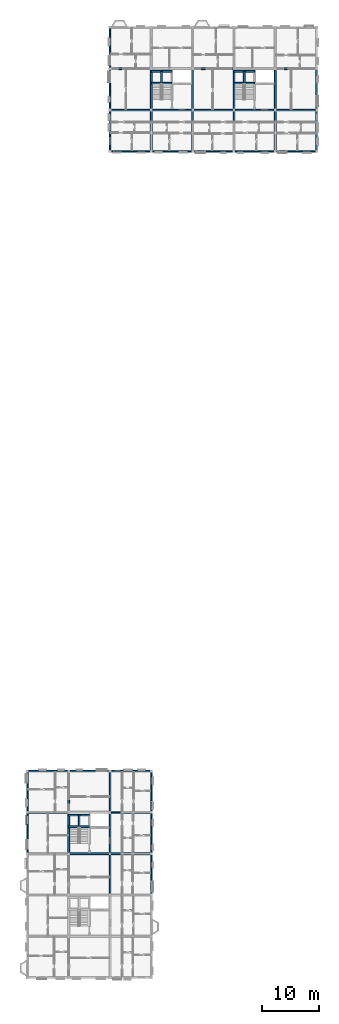
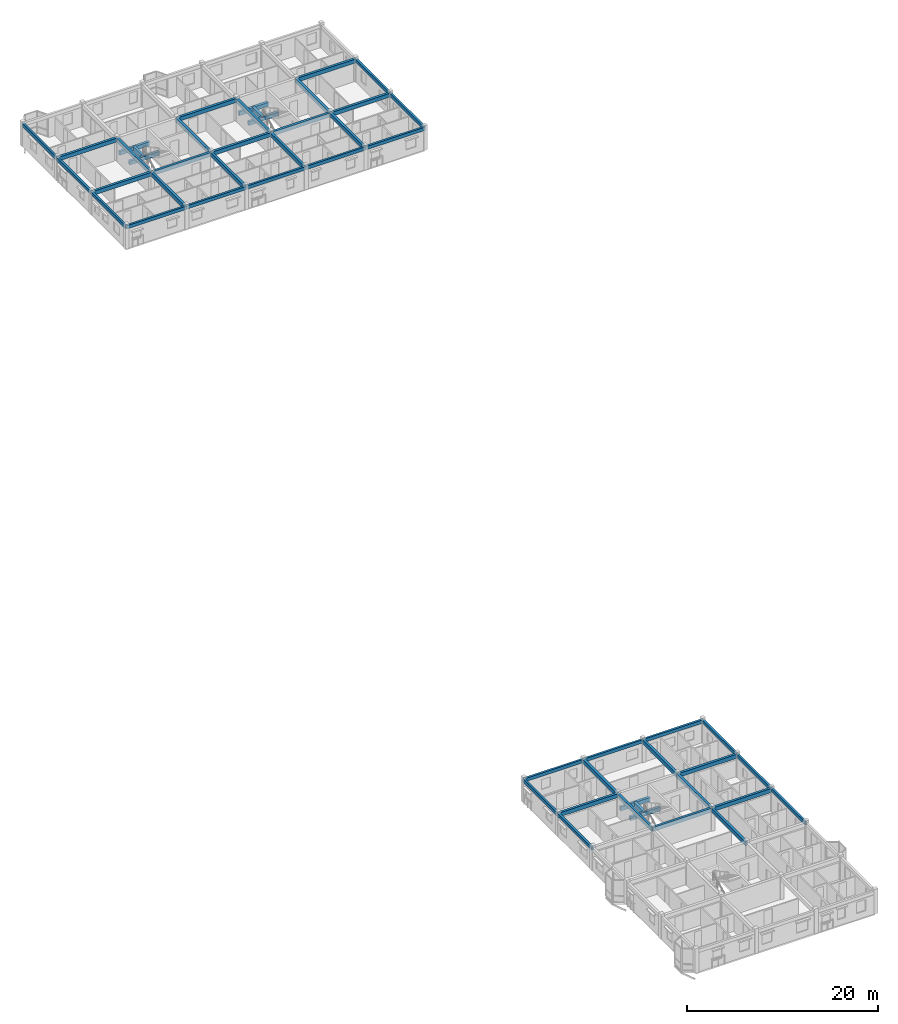
# One storey, part 9 of 28: 52 beams.
"""IFC4 building model written with IfcOpenShell, lengths in metres."""

from ifc_helpers import new_model, si_unit, direction, frame, origin, origin_2d, place, context, subcontext, project, spatial, rectangle, extrude, material, material_profile, profile_set, type_object, element, save


model = new_model("IFC4")

# Units and contexts
model_context = context("Model", 3, precision=1e-05, world=origin(), true_north=direction((0.0, 1.0)))
body_context = subcontext(model_context, "Body", "Model", "MODEL_VIEW")
ifc_project = project(units=[si_unit("LENGTHUNIT", "METRE"), si_unit("AREAUNIT", "SQUARE_METRE"), si_unit("VOLUMEUNIT", "CUBIC_METRE"), si_unit("PLANEANGLEUNIT", "RADIAN"), si_unit("MASSUNIT", "GRAM", prefix="KILO"), si_unit("THERMODYNAMICTEMPERATUREUNIT", "KELVIN"), si_unit("POWERUNIT", "WATT")], contexts=[model_context])

# Site, building, storey
site_placement = place(None, origin())
site = spatial("IfcSite", under=ifc_project, at=site_placement, CompositionType="ELEMENT")
building_placement = place(site_placement, origin())
building = spatial("IfcBuilding", under=site, at=building_placement, Name="Tavuni Mirador Residences", CompositionType="ELEMENT")
storey_placement = place(building_placement, frame((0.0, 0.0, 39.14990234375)))
storey = spatial("IfcBuildingStorey", under=building, at=storey_placement, Name="L12", CompositionType="ELEMENT", Elevation=39.14990234375)

# Beams
ifc_material = material(Name="Precast concrete C40/50", Category="concrete")
ifc_material_profile_1 = material_profile(ifc_material, rectangle(XDim=0.300048828125, YDim=0.5, at=origin_2d()), Name="PC 300x500", Category="concrete")
ifc_profile_set_1 = profile_set([ifc_material_profile_1], Name="Precast concrete C40/50")
beam_type_1 = type_object("IfcBeamType", Name="BT-B500", PredefinedType="BEAM", material=ifc_profile_set_1)
for number, where, z_axis, x_axis, name in (
    (1, (10.800048828125, 28.800048828125, 2.6201171875), (1.0, 0.0, 0.0), (0.0, 1.0, 0.0), "BMX-BLK-A-L12-01-03"),
    (2, (18.0, 28.800048828125, 2.6201171875), (1.0, 0.0, 0.0), (0.0, 1.0, 0.0), "BMX-BLK-A-L12-02-03"),
    (3, (3.60009765625, 36.0, 2.6201171875), (1.0, 0.0, 0.0), (0.0, 1.0, 0.0), "BMX-BLK-A-L12-00-04"),
    (4, (18.0, 36.0, 2.6201171875), (1.0, 0.0, 0.0), (0.0, 1.0, 0.0), "BMX-BLK-A-L12-02-04"),
    (5, (10.800048828125, 28.800048828125, 2.6201171875), (0.0, 1.0, 0.0), (-1.0, 0.0, 0.0), "BMY-BLK-A-L12-01-03"),
    (6, (10.800048828125, 36.0, 2.6201171875), (0.0, 1.0, 0.0), (-1.0, 0.0, 0.0), "BMY-BLK-A-L12-01-04"),
    (7, (18.0, 21.60009765625, 2.6201171875), (0.0, 1.0, 0.0), (-1.0, 0.0, 0.0), "BMY-BLK-A-L12-02-02"),
    (8, (18.0, 28.800048828125, 2.6201171875), (0.0, 1.0, 0.0), (-1.0, 0.0, 0.0), "BMY-BLK-A-L12-02-03"),
    (9, (18.0, 36.0, 2.6201171875), (0.0, 1.0, 0.0), (-1.0, 0.0, 0.0), "BMY-BLK-A-L12-02-04"),
    (10, (18.0, 158.39990234375, 2.635009765625), (1.0, 0.0, 0.0), (0.0, 1.0, 0.0), "BMX-BLK-C-L12-00-01"),
    (11, (25.199951171875, 158.39990234375, 2.635009765625), (1.0, 0.0, 0.0), (0.0, 1.0, 0.0), "BMX-BLK-C-L12-01-01"),
):
    element("IfcBeam", number, at=place(storey_placement, frame(where, z_axis=z_axis, x_axis=x_axis)), inside=storey, type_object=beam_type_1, Name=name, PredefinedType="BEAM", context=body_context, shape_type="SweptSolid", body=[
        extrude(rectangle(XDim=0.300048828125, YDim=0.5, at=origin_2d()), origin(), (0.0, 0.0, 1.0), 7.199951171875),
    ])
beam_1_placement = place(storey_placement, frame((32.39990234375, 158.39990234375, 2.635009765625), z_axis=(1.0, 0.0, 0.0), x_axis=(0.0, 1.0, 0.0)))
element("IfcBeam", 12, at=beam_1_placement, inside=storey, type_object=beam_type_1, Name="BMX-BLK-C-L12-02-01", PredefinedType="BEAM", context=body_context, shape_type="SweptSolid", body=[
    extrude(rectangle(XDim=0.300048828125, YDim=0.5, at=origin_2d()), origin(), (0.0, 0.0, 1.0), 7.2001953125),
])
for number, where, z_axis, x_axis, name in (
    (13, (39.60009765625, 158.39990234375, 2.635009765625), (1.0, 0.0, 0.0), (0.0, 1.0, 0.0), "BMX-BLK-C-L12-03-01"),
    (14, (46.800048828125, 158.39990234375, 2.635009765625), (1.0, 0.0, 0.0), (0.0, 1.0, 0.0), "BMX-BLK-C-L12-04-01"),
    (15, (18.0, 165.60009765625, 2.635009765625), (1.0, 0.0, 0.0), (0.0, 1.0, 0.0), "BMX-BLK-C-L12-00-02"),
):
    element("IfcBeam", number, at=place(storey_placement, frame(where, z_axis=z_axis, x_axis=x_axis)), inside=storey, type_object=beam_type_1, Name=name, PredefinedType="BEAM", context=body_context, shape_type="SweptSolid", body=[
        extrude(rectangle(XDim=0.300048828125, YDim=0.5, at=origin_2d()), origin(), (0.0, 0.0, 1.0), 7.199951171875),
    ])
beam_2_placement = place(storey_placement, frame((32.39990234375, 165.60009765625, 2.635009765625), z_axis=(1.0, 0.0, 0.0), x_axis=(0.0, 1.0, 0.0)))
element("IfcBeam", 16, at=beam_2_placement, inside=storey, type_object=beam_type_1, Name="BMX-BLK-C-L12-02-02", PredefinedType="BEAM", context=body_context, shape_type="SweptSolid", body=[
    extrude(rectangle(XDim=0.300048828125, YDim=0.5, at=origin_2d()), origin(), (0.0, 0.0, 1.0), 7.2001953125),
])
for number, where, z_axis, x_axis, name in (
    (17, (46.800048828125, 165.60009765625, 2.635009765625), (1.0, 0.0, 0.0), (0.0, 1.0, 0.0), "BMX-BLK-C-L12-04-02"),
    (18, (25.199951171875, 151.199951171875, 2.635009765625), (0.0, 1.0, 0.0), (-1.0, 0.0, 0.0), "BMY-BLK-C-L12-01-00"),
):
    element("IfcBeam", number, at=place(storey_placement, frame(where, z_axis=z_axis, x_axis=x_axis)), inside=storey, type_object=beam_type_1, Name=name, PredefinedType="BEAM", context=body_context, shape_type="SweptSolid", body=[
        extrude(rectangle(XDim=0.300048828125, YDim=0.5, at=origin_2d()), origin(), (0.0, 0.0, 1.0), 7.199951171875),
    ])
beam_3_placement = place(storey_placement, frame((25.199951171875, 158.39990234375, 2.635009765625), z_axis=(0.0, 1.0, 0.0), x_axis=(-1.0, 0.0, 0.0)))
element("IfcBeam", 19, at=beam_3_placement, inside=storey, type_object=beam_type_1, Name="BMY-BLK-C-L12-01-01", PredefinedType="BEAM", context=body_context, shape_type="SweptSolid", body=[
    extrude(rectangle(XDim=0.300048828125, YDim=0.5, at=origin_2d()), origin(), (0.0, 0.0, 1.0), 7.2001953125),
])
beam_4_placement = place(storey_placement, frame((32.39990234375, 151.199951171875, 2.635009765625), z_axis=(0.0, 1.0, 0.0), x_axis=(-1.0, 0.0, 0.0)))
element("IfcBeam", 20, at=beam_4_placement, inside=storey, type_object=beam_type_1, Name="BMY-BLK-C-L12-02-00", PredefinedType="BEAM", context=body_context, shape_type="SweptSolid", body=[
    extrude(rectangle(XDim=0.300048828125, YDim=0.5, at=origin_2d()), origin(), (0.0, 0.0, 1.0), 7.199951171875),
])
beam_5_placement = place(storey_placement, frame((32.39990234375, 158.39990234375, 2.635009765625), z_axis=(0.0, 1.0, 0.0), x_axis=(-1.0, 0.0, 0.0)))
element("IfcBeam", 21, at=beam_5_placement, inside=storey, type_object=beam_type_1, Name="BMY-BLK-C-L12-02-01", PredefinedType="BEAM", context=body_context, shape_type="SweptSolid", body=[
    extrude(rectangle(XDim=0.300048828125, YDim=0.5, at=origin_2d()), origin(), (0.0, 0.0, 1.0), 7.2001953125),
])
beam_6_placement = place(storey_placement, frame((39.60009765625, 151.199951171875, 2.635009765625), z_axis=(0.0, 1.0, 0.0), x_axis=(-1.0, 0.0, 0.0)))
element("IfcBeam", 22, at=beam_6_placement, inside=storey, type_object=beam_type_1, Name="BMY-BLK-C-L12-03-00", PredefinedType="BEAM", context=body_context, shape_type="SweptSolid", body=[
    extrude(rectangle(XDim=0.300048828125, YDim=0.5, at=origin_2d()), origin(), (0.0, 0.0, 1.0), 7.199951171875),
])
beam_7_placement = place(storey_placement, frame((39.60009765625, 158.39990234375, 2.635009765625), z_axis=(0.0, 1.0, 0.0), x_axis=(-1.0, 0.0, 0.0)))
element("IfcBeam", 23, at=beam_7_placement, inside=storey, type_object=beam_type_1, Name="BMY-BLK-C-L12-03-01", PredefinedType="BEAM", context=body_context, shape_type="SweptSolid", body=[
    extrude(rectangle(XDim=0.300048828125, YDim=0.5, at=origin_2d()), origin(), (0.0, 0.0, 1.0), 7.2001953125),
])
beam_8_placement = place(storey_placement, frame((46.800048828125, 151.199951171875, 2.635009765625), z_axis=(0.0, 1.0, 0.0), x_axis=(-1.0, 0.0, 0.0)))
element("IfcBeam", 24, at=beam_8_placement, inside=storey, type_object=beam_type_1, Name="BMY-BLK-C-L12-04-00", PredefinedType="BEAM", context=body_context, shape_type="SweptSolid", body=[
    extrude(rectangle(XDim=0.300048828125, YDim=0.5, at=origin_2d()), origin(), (0.0, 0.0, 1.0), 7.199951171875),
])
beam_9_placement = place(storey_placement, frame((46.800048828125, 158.39990234375, 2.635009765625), z_axis=(0.0, 1.0, 0.0), x_axis=(-1.0, 0.0, 0.0)))
element("IfcBeam", 25, at=beam_9_placement, inside=storey, type_object=beam_type_1, Name="BMY-BLK-C-L12-04-01", PredefinedType="BEAM", context=body_context, shape_type="SweptSolid", body=[
    extrude(rectangle(XDim=0.300048828125, YDim=0.5, at=origin_2d()), origin(), (0.0, 0.0, 1.0), 7.2001953125),
])
for number, where, z_axis, x_axis, name in (
    (26, (10.800048828125, 33.5, 1.14501953125), (1.0, 0.0, 0.0), (0.0, 1.0, 0.0), "HLB1-C2-L12"),
    (27, (10.800048828125, 35.550048828125, 1.14501953125), (1.0, 0.0, 0.0), (0.0, 1.0, 0.0), "HLB2-C2-L12"),
):
    element("IfcBeam", number, at=place(storey_placement, frame(where, z_axis=z_axis, x_axis=x_axis)), inside=storey, type_object=beam_type_1, Name=name, PredefinedType="BEAM", context=body_context, shape_type="SweptSolid", body=[
        extrude(rectangle(XDim=0.300048828125, YDim=0.5, at=origin_2d()), origin(), (0.0, 0.0, 1.0), 3.599853515625),
    ])
beam_10_placement = place(storey_placement, frame((12.60009765625, 33.5, 1.14501953125), z_axis=(0.0, 1.0, 0.0), x_axis=(-1.0, 0.0, 0.0)))
element("IfcBeam", 28, at=beam_10_placement, inside=storey, type_object=beam_type_1, Name="HLB3-C2-L12", PredefinedType="BEAM", context=body_context, shape_type="SweptSolid", body=[
    extrude(rectangle(XDim=0.300048828125, YDim=0.5, at=origin_2d()), origin(), (0.0, 0.0, 1.0), 2.050048828125),
])
for number, where, z_axis, x_axis, name in (
    (29, (25.199951171875, 163.10009765625, 1.14501953125), (1.0, 0.0, 0.0), (0.0, 1.0, 0.0), "HLB1-C5-L12"),
    (30, (25.199951171875, 165.14990234375, 1.14501953125), (1.0, 0.0, 0.0), (0.0, 1.0, 0.0), "HLB2-C5-L12"),
):
    element("IfcBeam", number, at=place(storey_placement, frame(where, z_axis=z_axis, x_axis=x_axis)), inside=storey, type_object=beam_type_1, Name=name, PredefinedType="BEAM", context=body_context, shape_type="SweptSolid", body=[
        extrude(rectangle(XDim=0.300048828125, YDim=0.5, at=origin_2d()), origin(), (0.0, 0.0, 1.0), 3.60009765625),
    ])
beam_11_placement = place(storey_placement, frame((27.0, 163.10009765625, 1.14501953125), z_axis=(0.0, 1.0, 0.0), x_axis=(-1.0, 0.0, 0.0)))
element("IfcBeam", 31, at=beam_11_placement, inside=storey, type_object=beam_type_1, Name="HLB3-C5-L12", PredefinedType="BEAM", context=body_context, shape_type="SweptSolid", body=[
    extrude(rectangle(XDim=0.300048828125, YDim=0.5, at=origin_2d()), origin(), (0.0, 0.0, 1.0), 2.0498046875),
])
for number, where, z_axis, x_axis, name in (
    (32, (39.60009765625, 163.10009765625, 1.14501953125), (1.0, 0.0, 0.0), (0.0, 1.0, 0.0), "HLB1-C6-L12"),
    (33, (39.60009765625, 165.14990234375, 1.14501953125), (1.0, 0.0, 0.0), (0.0, 1.0, 0.0), "HLB2-C6-L12"),
):
    element("IfcBeam", number, at=place(storey_placement, frame(where, z_axis=z_axis, x_axis=x_axis)), inside=storey, type_object=beam_type_1, Name=name, PredefinedType="BEAM", context=body_context, shape_type="SweptSolid", body=[
        extrude(rectangle(XDim=0.300048828125, YDim=0.5, at=origin_2d()), origin(), (0.0, 0.0, 1.0), 3.599853515625),
    ])
beam_12_placement = place(storey_placement, frame((41.39990234375, 163.10009765625, 1.14501953125), z_axis=(0.0, 1.0, 0.0), x_axis=(-1.0, 0.0, 0.0)))
element("IfcBeam", 34, at=beam_12_placement, inside=storey, type_object=beam_type_1, Name="HLB3-C6-L12", PredefinedType="BEAM", context=body_context, shape_type="SweptSolid", body=[
    extrude(rectangle(XDim=0.300048828125, YDim=0.5, at=origin_2d()), origin(), (0.0, 0.0, 1.0), 2.0498046875),
])
ifc_material_profile_2 = material_profile(ifc_material, rectangle(XDim=0.25, YDim=0.419921875, at=origin_2d()), Name="PC 250x420", Category="concrete")
ifc_profile_set_2 = profile_set([ifc_material_profile_2], Name="Precast concrete C40/50")
beam_type_2 = type_object("IfcBeamType", Name="BT-SP420", PredefinedType="SPANDREL", material=ifc_profile_set_2)
for number, where, z_axis, x_axis, name in (
    (35, (3.60009765625, 43.199951171875, 2.66015625), (1.0, 0.0, 0.0), (0.0, 1.0, 0.0), "BMX-BLK-A-L12-00-05"),
    (36, (10.800048828125, 43.199951171875, 2.66015625), (1.0, 0.0, 0.0), (0.0, 1.0, 0.0), "BMX-BLK-A-L12-01-05"),
    (37, (18.0, 43.199951171875, 2.66015625), (1.0, 0.0, 0.0), (0.0, 1.0, 0.0), "BMX-BLK-A-L12-02-05"),
    (38, (3.60009765625, 28.800048828125, 2.66015625), (0.0, 1.0, 0.0), (-1.0, 0.0, 0.0), "BMY-BLK-A-L12-00-03"),
    (39, (3.60009765625, 36.0, 2.66015625), (0.0, 1.0, 0.0), (-1.0, 0.0, 0.0), "BMY-BLK-A-L12-00-04"),
    (40, (25.199951171875, 21.60009765625, 2.66015625), (0.0, 1.0, 0.0), (-1.0, 0.0, 0.0), "BMY-BLK-A-L12-03-02"),
    (41, (25.199951171875, 28.800048828125, 2.66015625), (0.0, 1.0, 0.0), (-1.0, 0.0, 0.0), "BMY-BLK-A-L12-03-03"),
    (42, (25.199951171875, 36.0, 2.66015625), (0.0, 1.0, 0.0), (-1.0, 0.0, 0.0), "BMY-BLK-A-L12-03-04"),
    (43, (18.0, 151.199951171875, 2.675048828125), (1.0, 0.0, 0.0), (0.0, 1.0, 0.0), "BMX-BLK-C-L12-00-00"),
    (44, (25.199951171875, 151.199951171875, 2.675048828125), (1.0, 0.0, 0.0), (0.0, 1.0, 0.0), "BMX-BLK-C-L12-01-00"),
):
    element("IfcBeam", number, at=place(storey_placement, frame(where, z_axis=z_axis, x_axis=x_axis)), inside=storey, type_object=beam_type_2, Name=name, PredefinedType="SPANDREL", context=body_context, shape_type="SweptSolid", body=[
        extrude(rectangle(XDim=0.25, YDim=0.419921875, at=origin_2d()), origin(), (0.0, 0.0, 1.0), 7.199951171875),
    ])
beam_13_placement = place(storey_placement, frame((32.39990234375, 151.199951171875, 2.675048828125), z_axis=(1.0, 0.0, 0.0), x_axis=(0.0, 1.0, 0.0)))
element("IfcBeam", 45, at=beam_13_placement, inside=storey, type_object=beam_type_2, Name="BMX-BLK-C-L12-02-00", PredefinedType="SPANDREL", context=body_context, shape_type="SweptSolid", body=[
    extrude(rectangle(XDim=0.25, YDim=0.419921875, at=origin_2d()), origin(), (0.0, 0.0, 1.0), 7.2001953125),
])
for number, where, z_axis, x_axis, name in (
    (46, (39.60009765625, 151.199951171875, 2.675048828125), (1.0, 0.0, 0.0), (0.0, 1.0, 0.0), "BMX-BLK-C-L12-03-00"),
    (47, (46.800048828125, 151.199951171875, 2.675048828125), (1.0, 0.0, 0.0), (0.0, 1.0, 0.0), "BMX-BLK-C-L12-04-00"),
    (48, (18.0, 151.199951171875, 2.675048828125), (0.0, 1.0, 0.0), (-1.0, 0.0, 0.0), "BMY-BLK-C-L12-00-00"),
):
    element("IfcBeam", number, at=place(storey_placement, frame(where, z_axis=z_axis, x_axis=x_axis)), inside=storey, type_object=beam_type_2, Name=name, PredefinedType="SPANDREL", context=body_context, shape_type="SweptSolid", body=[
        extrude(rectangle(XDim=0.25, YDim=0.419921875, at=origin_2d()), origin(), (0.0, 0.0, 1.0), 7.199951171875),
    ])
beam_14_placement = place(storey_placement, frame((18.0, 158.39990234375, 2.675048828125), z_axis=(0.0, 1.0, 0.0), x_axis=(-1.0, 0.0, 0.0)))
element("IfcBeam", 49, at=beam_14_placement, inside=storey, type_object=beam_type_2, Name="BMY-BLK-C-L12-00-01", PredefinedType="SPANDREL", context=body_context, shape_type="SweptSolid", body=[
    extrude(rectangle(XDim=0.25, YDim=0.419921875, at=origin_2d()), origin(), (0.0, 0.0, 1.0), 7.2001953125),
])
for number, where, z_axis, x_axis, name in (
    (50, (18.0, 165.60009765625, 2.675048828125), (0.0, 1.0, 0.0), (-1.0, 0.0, 0.0), "BMY-BLK-C-L12-00-02"),
    (51, (54.0, 151.199951171875, 2.675048828125), (0.0, 1.0, 0.0), (-1.0, 0.0, 0.0), "BMY-BLK-C-L12-05-00"),
):
    element("IfcBeam", number, at=place(storey_placement, frame(where, z_axis=z_axis, x_axis=x_axis)), inside=storey, type_object=beam_type_2, Name=name, PredefinedType="SPANDREL", context=body_context, shape_type="SweptSolid", body=[
        extrude(rectangle(XDim=0.25, YDim=0.419921875, at=origin_2d()), origin(), (0.0, 0.0, 1.0), 7.199951171875),
    ])
beam_15_placement = place(storey_placement, frame((54.0, 158.39990234375, 2.675048828125), z_axis=(0.0, 1.0, 0.0), x_axis=(-1.0, 0.0, 0.0)))
element("IfcBeam", 52, at=beam_15_placement, inside=storey, type_object=beam_type_2, Name="BMY-BLK-C-L12-05-01", PredefinedType="SPANDREL", context=body_context, shape_type="SweptSolid", body=[
    extrude(rectangle(XDim=0.25, YDim=0.419921875, at=origin_2d()), origin(), (0.0, 0.0, 1.0), 7.2001953125),
])

save(model, "model.ifc")
